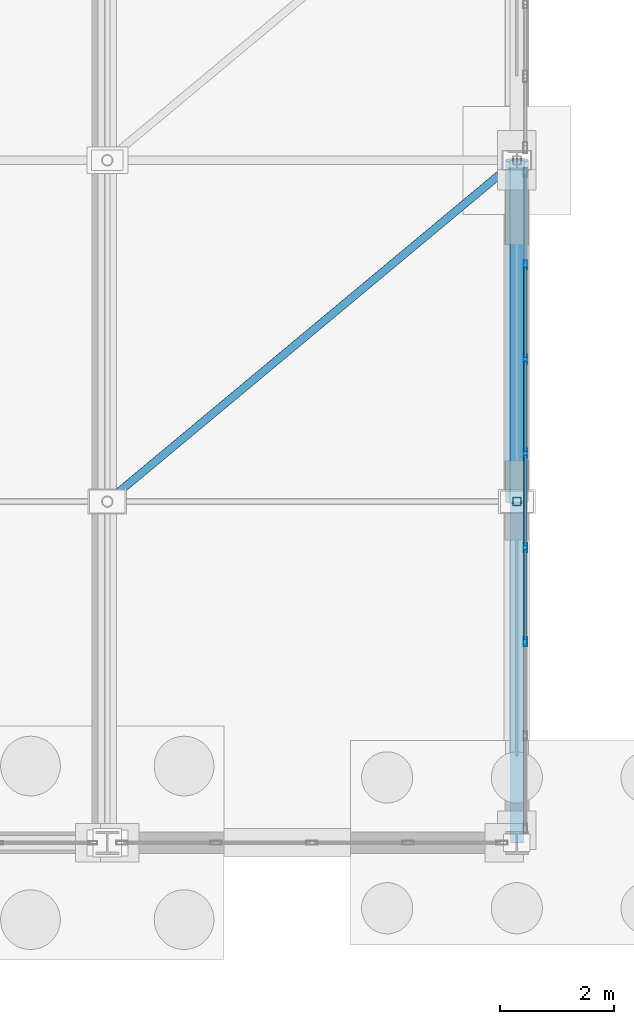
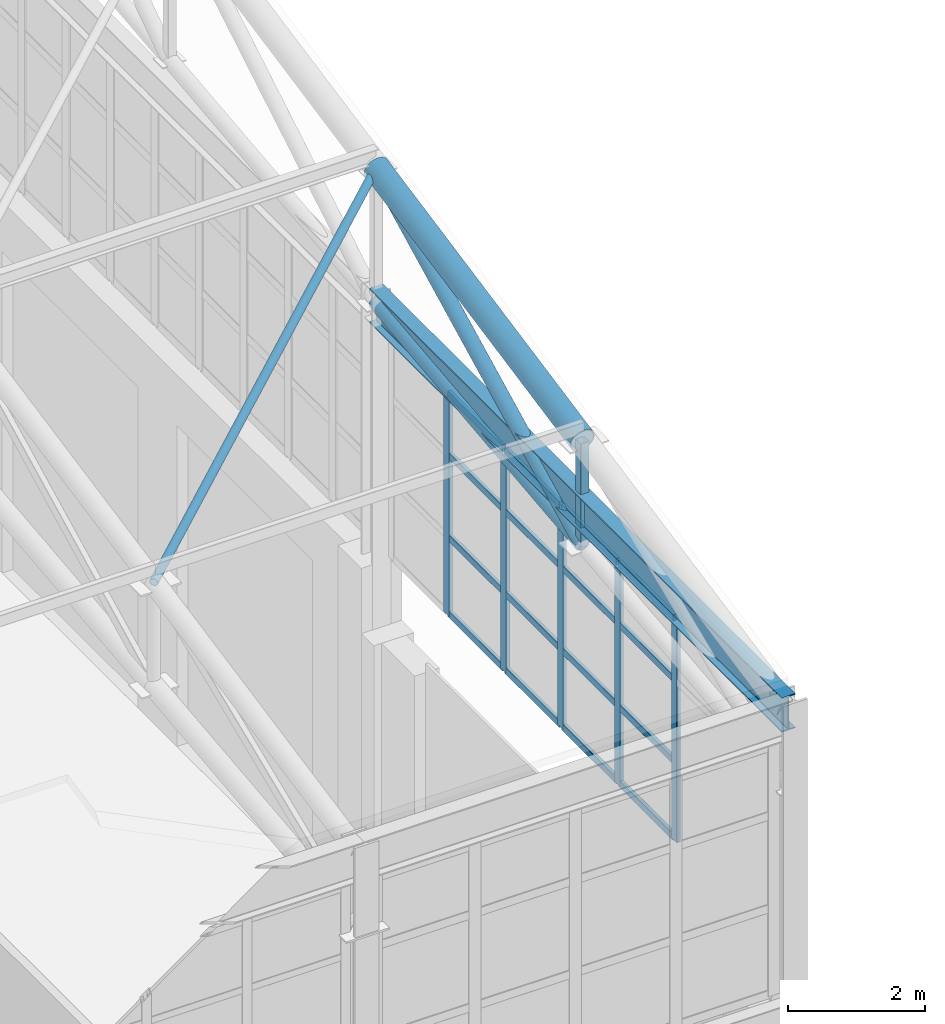
# One storey, part 178 of 293: 26 members, 1 beam, 1 element without a shape of its own.
"""IFC4 building model written with IfcOpenShell, lengths in metres."""

from ifc_helpers import new_model, si_unit, direction, frame, origin, origin_2d, place, context, subcontext, project, spatial, hollow_rectangle, hollow_circle, i_section, extrude, material, layer, layer_set, material_profile, profile_set, type_object, element, aggregate, save


model = new_model("IFC4")

# Units and contexts
model_context = context("Model", 3, precision=1e-05, world=origin(), true_north=direction((0.0, 1.0)))
body_context = subcontext(model_context, "Body", "Model", "MODEL_VIEW")
ifc_project = project(units=[si_unit("LENGTHUNIT", "METRE"), si_unit("AREAUNIT", "SQUARE_METRE"), si_unit("VOLUMEUNIT", "CUBIC_METRE"), si_unit("PLANEANGLEUNIT", "RADIAN"), si_unit("MASSUNIT", "GRAM", prefix="KILO")], contexts=[model_context])

# Site, building, storey
site_placement = place(None, origin())
site = spatial("IfcSite", under=ifc_project, at=site_placement, CompositionType="ELEMENT")
building_placement = place(site_placement, origin())
building = spatial("IfcBuilding", under=site, at=building_placement, Name="Kemerveld Promenade Tramway Depot", CompositionType="ELEMENT")
storey_placement = place(building_placement, origin())
storey = spatial("IfcBuildingStorey", under=building, at=storey_placement, Name="L00", CompositionType="ELEMENT", Elevation=0.0)

# Beam
ifc_material_1 = material(Name="Steel S355", Category="steel")
ifc_material_profile_1 = material_profile(ifc_material_1, i_section(OverallWidth=0.22900390625, OverallDepth=0.6123046875, WebThickness=0.011962890625, FlangeThickness=0.01953125, FilletRadius=0.0126953125, at=origin_2d()), Name="610x229x125 UB")
ifc_profile_set_1 = profile_set([ifc_material_profile_1], Name="Steel S355")
beam_type = type_object("IfcBeamType", Name="BM-G04", PredefinedType="BEAM", material=ifc_profile_set_1)
beam_placement = place(storey_placement, frame((187.199951171875, 84.0, 11.093994140625), z_axis=(0.0, 1.0, 0.0), x_axis=(-1.0, 0.0, 0.0)))
element("IfcBeam", 1, at=beam_placement, inside=storey, type_object=beam_type, Name="BM-GABLE-27-N", PredefinedType="BEAM", context=body_context, shape_type="SweptSolid", body=[
    extrude(i_section(OverallWidth=0.22900390625, OverallDepth=0.6123046875, WebThickness=0.011962890625, FlangeThickness=0.01953125, FilletRadius=0.0126953125, at=origin_2d()), origin(), (0.0, 0.0, 1.0), 12.0),
])

# Curtain wall, members
ifc_material_2 = material(Name="Bronze anodised aluminium and solar glass", Category="aluminium")
ifc_layer = layer(ifc_material_2, 0.159912109375)
ifc_layer_set = layer_set([ifc_layer], Name="CW-SYS-11")
curtain_wall_type = type_object("IfcCurtainWallType", Name="CW-SYS-11", PredefinedType="USERDEFINED", material=ifc_layer_set)
curtain_wall_placement = place(storey_placement, origin())
curtain_wall = element("IfcCurtainWall", 2, at=curtain_wall_placement, inside=storey, type_object=curtain_wall_type, Name="CW-V1-E-01", ObjectType="GLAZED_CURTAIN_WALL", PredefinedType="USERDEFINED")
ifc_material_3 = material(Name="Bronze anodised aluminium", Category="aluminium")
ifc_material_profile_2 = material_profile(ifc_material_3, hollow_rectangle(XDim=0.06494140625, YDim=0.159912109375, WallThickness=0.00390625, InnerFilletRadius=0.001953125, OuterFilletRadius=0.00390625, at=origin_2d()), Name="CW-MUL-160x65")
ifc_profile_set_2 = profile_set([ifc_material_profile_2], Name="Bronze anodised aluminium")
member_type_1 = type_object("IfcMemberType", Name="CW-MUL-A", PredefinedType="MULLION", material=ifc_profile_set_2)
member_1_placement = place(storey_placement, frame((187.35009765625, 94.160400390625, 6.64990234375), z_axis=(0.0, 0.0, 1.0), x_axis=(1.0, 0.0, 0.0)))
member_1 = element("IfcMember", 3, at=member_1_placement, type_object=member_type_1, Name="CW11 mullion 2", PredefinedType="MULLION", context=body_context, shape_type="SweptSolid", body=[
    extrude(hollow_rectangle(XDim=0.06494140625, YDim=0.159912109375, WallThickness=0.00390625, InnerFilletRadius=0.001953125, OuterFilletRadius=0.00390625, at=origin_2d()), origin(), (0.0, 0.0, 1.0), 3.9501953125),
])
member_2_placement = place(storey_placement, frame((187.35009765625, 92.504150390625, 6.64990234375), z_axis=(0.0, 0.0, 1.0), x_axis=(1.0, 0.0, 0.0)))
member_2 = element("IfcMember", 4, at=member_2_placement, type_object=member_type_1, Name="CW11 mullion 3", PredefinedType="MULLION", context=body_context, shape_type="SweptSolid", body=[
    extrude(hollow_rectangle(XDim=0.06494140625, YDim=0.159912109375, WallThickness=0.00390625, InnerFilletRadius=0.001953125, OuterFilletRadius=0.00390625, at=origin_2d()), origin(), (0.0, 0.0, 1.0), 3.9501953125),
])
member_3_placement = place(storey_placement, frame((187.35009765625, 90.847900390625, 6.64990234375), z_axis=(0.0, 0.0, 1.0), x_axis=(1.0, 0.0, 0.0)))
member_3 = element("IfcMember", 5, at=member_3_placement, type_object=member_type_1, Name="CW11 mullion 4", PredefinedType="MULLION", context=body_context, shape_type="SweptSolid", body=[
    extrude(hollow_rectangle(XDim=0.06494140625, YDim=0.159912109375, WallThickness=0.00390625, InnerFilletRadius=0.001953125, OuterFilletRadius=0.00390625, at=origin_2d()), origin(), (0.0, 0.0, 1.0), 3.9501953125),
])
member_4_placement = place(storey_placement, frame((187.35009765625, 89.191650390625, 6.64990234375), z_axis=(0.0, 0.0, 1.0), x_axis=(1.0, 0.0, 0.0)))
member_4 = element("IfcMember", 6, at=member_4_placement, type_object=member_type_1, Name="CW11 mullion 5", PredefinedType="MULLION", context=body_context, shape_type="SweptSolid", body=[
    extrude(hollow_rectangle(XDim=0.06494140625, YDim=0.159912109375, WallThickness=0.00390625, InnerFilletRadius=0.001953125, OuterFilletRadius=0.00390625, at=origin_2d()), origin(), (0.0, 0.0, 1.0), 3.9501953125),
])
member_5_placement = place(storey_placement, frame((187.35009765625, 87.53564453125, 6.64990234375), z_axis=(0.0, 0.0, 1.0), x_axis=(1.0, 0.0, 0.0)))
member_5 = element("IfcMember", 7, at=member_5_placement, type_object=member_type_1, Name="CW11 mullion 6", PredefinedType="MULLION", context=body_context, shape_type="SweptSolid", body=[
    extrude(hollow_rectangle(XDim=0.06494140625, YDim=0.159912109375, WallThickness=0.00390625, InnerFilletRadius=0.001953125, OuterFilletRadius=0.00390625, at=origin_2d()), origin(), (0.0, 0.0, 1.0), 3.9501953125),
])
ifc_material_profile_3 = material_profile(ifc_material_3, hollow_rectangle(XDim=0.06005859375, YDim=0.1201171875, WallThickness=0.00390625, InnerFilletRadius=0.001953125, OuterFilletRadius=0.00390625, at=origin_2d()), Name="CW-TRN-120x60")
ifc_profile_set_3 = profile_set([ifc_material_profile_3], Name="Bronze anodised aluminium")
member_type_2 = type_object("IfcMemberType", Name="CW-TRN-A", PredefinedType="USERDEFINED", material=ifc_profile_set_3)
member_6_placement = place(storey_placement, frame((187.35009765625, 94.1279296875, 6.679931640625), z_axis=(0.0, -1.0, 0.0), x_axis=(1.0, 0.0, 0.0)))
member_6 = element("IfcMember", 8, at=member_6_placement, type_object=member_type_2, Name="CW11 transom 2.1", ObjectType="TRANSOM", PredefinedType="USERDEFINED", context=body_context, shape_type="SweptSolid", body=[
    extrude(hollow_rectangle(XDim=0.06005859375, YDim=0.1201171875, WallThickness=0.00390625, InnerFilletRadius=0.001953125, OuterFilletRadius=0.00390625, at=origin_2d()), origin(), (0.0, 0.0, 1.0), 1.59130859375),
])
member_7_placement = place(storey_placement, frame((187.35009765625, 94.1279296875, 8.032958984375), z_axis=(0.0, -1.0, 0.0), x_axis=(1.0, 0.0, 0.0)))
member_7 = element("IfcMember", 9, at=member_7_placement, type_object=member_type_2, Name="CW11 transom 2.2", ObjectType="TRANSOM", PredefinedType="USERDEFINED", context=body_context, shape_type="SweptSolid", body=[
    extrude(hollow_rectangle(XDim=0.06005859375, YDim=0.1201171875, WallThickness=0.00390625, InnerFilletRadius=0.001953125, OuterFilletRadius=0.00390625, at=origin_2d()), origin(), (0.0, 0.0, 1.0), 1.59130859375),
])
member_8_placement = place(storey_placement, frame((187.35009765625, 94.1279296875, 9.493896484375), z_axis=(0.0, -1.0, 0.0), x_axis=(1.0, 0.0, 0.0)))
member_8 = element("IfcMember", 10, at=member_8_placement, type_object=member_type_2, Name="CW11 transom 2.3", ObjectType="TRANSOM", PredefinedType="USERDEFINED", context=body_context, shape_type="SweptSolid", body=[
    extrude(hollow_rectangle(XDim=0.06005859375, YDim=0.1201171875, WallThickness=0.00390625, InnerFilletRadius=0.001953125, OuterFilletRadius=0.00390625, at=origin_2d()), origin(), (0.0, 0.0, 1.0), 1.59130859375),
])
member_9_placement = place(storey_placement, frame((187.35009765625, 94.1279296875, 10.570068359375), z_axis=(0.0, -1.0, 0.0), x_axis=(1.0, 0.0, 0.0)))
member_9 = element("IfcMember", 11, at=member_9_placement, type_object=member_type_2, Name="CW11 transom 2.4", ObjectType="TRANSOM", PredefinedType="USERDEFINED", context=body_context, shape_type="SweptSolid", body=[
    extrude(hollow_rectangle(XDim=0.06005859375, YDim=0.1201171875, WallThickness=0.00390625, InnerFilletRadius=0.001953125, OuterFilletRadius=0.00390625, at=origin_2d()), origin(), (0.0, 0.0, 1.0), 1.59130859375),
])
member_10_placement = place(storey_placement, frame((187.35009765625, 92.4716796875, 6.679931640625), z_axis=(0.0, -1.0, 0.0), x_axis=(1.0, 0.0, 0.0)))
member_10 = element("IfcMember", 12, at=member_10_placement, type_object=member_type_2, Name="CW11 transom 3.1", ObjectType="TRANSOM", PredefinedType="USERDEFINED", context=body_context, shape_type="SweptSolid", body=[
    extrude(hollow_rectangle(XDim=0.06005859375, YDim=0.1201171875, WallThickness=0.00390625, InnerFilletRadius=0.001953125, OuterFilletRadius=0.00390625, at=origin_2d()), origin(), (0.0, 0.0, 1.0), 1.59130859375),
])
member_11_placement = place(storey_placement, frame((187.35009765625, 92.4716796875, 8.032958984375), z_axis=(0.0, -1.0, 0.0), x_axis=(1.0, 0.0, 0.0)))
member_11 = element("IfcMember", 13, at=member_11_placement, type_object=member_type_2, Name="CW11 transom 3.2", ObjectType="TRANSOM", PredefinedType="USERDEFINED", context=body_context, shape_type="SweptSolid", body=[
    extrude(hollow_rectangle(XDim=0.06005859375, YDim=0.1201171875, WallThickness=0.00390625, InnerFilletRadius=0.001953125, OuterFilletRadius=0.00390625, at=origin_2d()), origin(), (0.0, 0.0, 1.0), 1.59130859375),
])
member_12_placement = place(storey_placement, frame((187.35009765625, 92.4716796875, 9.493896484375), z_axis=(0.0, -1.0, 0.0), x_axis=(1.0, 0.0, 0.0)))
member_12 = element("IfcMember", 14, at=member_12_placement, type_object=member_type_2, Name="CW11 transom 3.3", ObjectType="TRANSOM", PredefinedType="USERDEFINED", context=body_context, shape_type="SweptSolid", body=[
    extrude(hollow_rectangle(XDim=0.06005859375, YDim=0.1201171875, WallThickness=0.00390625, InnerFilletRadius=0.001953125, OuterFilletRadius=0.00390625, at=origin_2d()), origin(), (0.0, 0.0, 1.0), 1.59130859375),
])
member_13_placement = place(storey_placement, frame((187.35009765625, 92.4716796875, 10.570068359375), z_axis=(0.0, -1.0, 0.0), x_axis=(1.0, 0.0, 0.0)))
member_13 = element("IfcMember", 15, at=member_13_placement, type_object=member_type_2, Name="CW11 transom 3.4", ObjectType="TRANSOM", PredefinedType="USERDEFINED", context=body_context, shape_type="SweptSolid", body=[
    extrude(hollow_rectangle(XDim=0.06005859375, YDim=0.1201171875, WallThickness=0.00390625, InnerFilletRadius=0.001953125, OuterFilletRadius=0.00390625, at=origin_2d()), origin(), (0.0, 0.0, 1.0), 1.59130859375),
])
member_14_placement = place(storey_placement, frame((187.35009765625, 90.8154296875, 6.679931640625), z_axis=(0.0, -1.0, 0.0), x_axis=(1.0, 0.0, 0.0)))
member_14 = element("IfcMember", 16, at=member_14_placement, type_object=member_type_2, Name="CW11 transom 4.1", ObjectType="TRANSOM", PredefinedType="USERDEFINED", context=body_context, shape_type="SweptSolid", body=[
    extrude(hollow_rectangle(XDim=0.06005859375, YDim=0.1201171875, WallThickness=0.00390625, InnerFilletRadius=0.001953125, OuterFilletRadius=0.00390625, at=origin_2d()), origin(), (0.0, 0.0, 1.0), 1.591064453125),
])
member_15_placement = place(storey_placement, frame((187.35009765625, 90.8154296875, 8.032958984375), z_axis=(0.0, -1.0, 0.0), x_axis=(1.0, 0.0, 0.0)))
member_15 = element("IfcMember", 17, at=member_15_placement, type_object=member_type_2, Name="CW11 transom 4.2", ObjectType="TRANSOM", PredefinedType="USERDEFINED", context=body_context, shape_type="SweptSolid", body=[
    extrude(hollow_rectangle(XDim=0.06005859375, YDim=0.1201171875, WallThickness=0.00390625, InnerFilletRadius=0.001953125, OuterFilletRadius=0.00390625, at=origin_2d()), origin(), (0.0, 0.0, 1.0), 1.591064453125),
])
member_16_placement = place(storey_placement, frame((187.35009765625, 90.8154296875, 9.493896484375), z_axis=(0.0, -1.0, 0.0), x_axis=(1.0, 0.0, 0.0)))
member_16 = element("IfcMember", 18, at=member_16_placement, type_object=member_type_2, Name="CW11 transom 4.3", ObjectType="TRANSOM", PredefinedType="USERDEFINED", context=body_context, shape_type="SweptSolid", body=[
    extrude(hollow_rectangle(XDim=0.06005859375, YDim=0.1201171875, WallThickness=0.00390625, InnerFilletRadius=0.001953125, OuterFilletRadius=0.00390625, at=origin_2d()), origin(), (0.0, 0.0, 1.0), 1.591064453125),
])
member_17_placement = place(storey_placement, frame((187.35009765625, 90.8154296875, 10.570068359375), z_axis=(0.0, -1.0, 0.0), x_axis=(1.0, 0.0, 0.0)))
member_17 = element("IfcMember", 19, at=member_17_placement, type_object=member_type_2, Name="CW11 transom 4.4", ObjectType="TRANSOM", PredefinedType="USERDEFINED", context=body_context, shape_type="SweptSolid", body=[
    extrude(hollow_rectangle(XDim=0.06005859375, YDim=0.1201171875, WallThickness=0.00390625, InnerFilletRadius=0.001953125, OuterFilletRadius=0.00390625, at=origin_2d()), origin(), (0.0, 0.0, 1.0), 1.591064453125),
])
member_18_placement = place(storey_placement, frame((187.35009765625, 89.1591796875, 6.679931640625), z_axis=(0.0, -1.0, 0.0), x_axis=(1.0, 0.0, 0.0)))
member_18 = element("IfcMember", 20, at=member_18_placement, type_object=member_type_2, Name="CW11 transom 5.1", ObjectType="TRANSOM", PredefinedType="USERDEFINED", context=body_context, shape_type="SweptSolid", body=[
    extrude(hollow_rectangle(XDim=0.06005859375, YDim=0.1201171875, WallThickness=0.00390625, InnerFilletRadius=0.001953125, OuterFilletRadius=0.00390625, at=origin_2d()), origin(), (0.0, 0.0, 1.0), 1.591064453125),
])
member_19_placement = place(storey_placement, frame((187.35009765625, 89.1591796875, 8.032958984375), z_axis=(0.0, -1.0, 0.0), x_axis=(1.0, 0.0, 0.0)))
member_19 = element("IfcMember", 21, at=member_19_placement, type_object=member_type_2, Name="CW11 transom 5.2", ObjectType="TRANSOM", PredefinedType="USERDEFINED", context=body_context, shape_type="SweptSolid", body=[
    extrude(hollow_rectangle(XDim=0.06005859375, YDim=0.1201171875, WallThickness=0.00390625, InnerFilletRadius=0.001953125, OuterFilletRadius=0.00390625, at=origin_2d()), origin(), (0.0, 0.0, 1.0), 1.591064453125),
])
member_20_placement = place(storey_placement, frame((187.35009765625, 89.1591796875, 9.493896484375), z_axis=(0.0, -1.0, 0.0), x_axis=(1.0, 0.0, 0.0)))
member_20 = element("IfcMember", 22, at=member_20_placement, type_object=member_type_2, Name="CW11 transom 5.3", ObjectType="TRANSOM", PredefinedType="USERDEFINED", context=body_context, shape_type="SweptSolid", body=[
    extrude(hollow_rectangle(XDim=0.06005859375, YDim=0.1201171875, WallThickness=0.00390625, InnerFilletRadius=0.001953125, OuterFilletRadius=0.00390625, at=origin_2d()), origin(), (0.0, 0.0, 1.0), 1.591064453125),
])
member_21_placement = place(storey_placement, frame((187.35009765625, 89.1591796875, 10.570068359375), z_axis=(0.0, -1.0, 0.0), x_axis=(1.0, 0.0, 0.0)))
member_21 = element("IfcMember", 23, at=member_21_placement, type_object=member_type_2, Name="CW11 transom 5.4", ObjectType="TRANSOM", PredefinedType="USERDEFINED", context=body_context, shape_type="SweptSolid", body=[
    extrude(hollow_rectangle(XDim=0.06005859375, YDim=0.1201171875, WallThickness=0.00390625, InnerFilletRadius=0.001953125, OuterFilletRadius=0.00390625, at=origin_2d()), origin(), (0.0, 0.0, 1.0), 1.591064453125),
])
aggregate(curtain_wall, [member_1, member_2, member_3, member_4, member_5, member_6, member_7, member_8, member_9, member_10, member_11, member_12, member_13, member_14, member_15, member_16, member_17, member_18, member_19, member_20, member_21])

# Members
ifc_material_profile_4 = material_profile(ifc_material_1, hollow_circle(Radius=0.122314453125, WallThickness=0.010009765625, at=origin_2d()), Name="244.5x10.0 CHS")
ifc_profile_set_4 = profile_set([ifc_material_profile_4], Name="Steel S355")
member_type_3 = type_object("IfcMemberType", Name="MB-TB1", PredefinedType="BRACE", material=ifc_profile_set_4)
member_22_placement = place(storey_placement, frame((187.199951171875, 90.0, 10.4599609375), z_axis=(0.0, 0.892033434612, 0.451969414379), x_axis=(-1.0, 0.0, 0.0)))
element("IfcMember", 24, at=member_22_placement, inside=storey, type_object=member_type_3, Name="TR-27-DG-02", PredefinedType="BRACE", context=body_context, shape_type="SweptSolid", body=[
    extrude(hollow_circle(Radius=0.122314453125, WallThickness=0.010009765625, at=origin_2d()), origin(), (0.0, 0.0, 1.0), 6.726318359375),
])
ifc_material_profile_5 = material_profile(ifc_material_1, hollow_circle(Radius=0.06982421875, WallThickness=0.00634765625, at=origin_2d()), Name="139.7x6.3 CHS")
ifc_profile_set_5 = profile_set([ifc_material_profile_5], Name="Steel S355")
member_type_4 = type_object("IfcMemberType", Name="MB-TB3", PredefinedType="BRACE", material=ifc_profile_set_5)
member_23_placement = place(storey_placement, frame((180.0, 90.0, 12.300048828125), z_axis=(0.761999094998, 0.635003552225, 0.126995542773), x_axis=(-0.640186961885, 0.768219144407, 0.0)))
element("IfcMember", 25, at=member_23_placement, inside=storey, type_object=member_type_4, Name="RBR-V1-01-26", PredefinedType="BRACE", context=body_context, shape_type="SweptSolid", body=[
    extrude(hollow_circle(Radius=0.06982421875, WallThickness=0.00634765625, at=origin_2d()), origin(), (0.0, 0.0, 1.0), 9.44873046875),
])
ifc_material_profile_6 = material_profile(ifc_material_1, hollow_circle(Radius=0.203125, WallThickness=0.01611328125, at=origin_2d()), Name="406.4x16.0 CHS")
ifc_profile_set_6 = profile_set([ifc_material_profile_6], Name="Steel S355")
member_type_5 = type_object("IfcMemberType", Name="MB-TC1", PredefinedType="CHORD", material=ifc_profile_set_6)
member_24_placement = place(storey_placement, frame((187.199951171875, 90.0, 12.300048828125), z_axis=(0.0, 0.980582210276, 0.196108462057), x_axis=(-1.0, 0.0, 0.0)))
element("IfcMember", 26, at=member_24_placement, inside=storey, type_object=member_type_5, Name="TR-27-TC-02", PredefinedType="CHORD", context=body_context, shape_type="SweptSolid", body=[
    extrude(hollow_circle(Radius=0.203125, WallThickness=0.01611328125, at=origin_2d()), origin(), (0.0, 0.0, 1.0), 6.118896484375),
])
ifc_material_profile_7 = material_profile(ifc_material_1, hollow_circle(Radius=0.122314453125, WallThickness=0.010009765625, at=origin_2d()), Name="244.5x10.0 CHS")
ifc_profile_set_7 = profile_set([ifc_material_profile_7], Name="Steel S355")
member_type_6 = type_object("IfcMemberType", Name="MB-TC3", PredefinedType="CHORD", material=ifc_profile_set_7)
member_25_placement = place(storey_placement, frame((187.199951171875, 90.0, 10.4599609375), z_axis=(0.0, 0.994001542248, 0.109366055104), x_axis=(-1.0, 0.0, 0.0)))
element("IfcMember", 27, at=member_25_placement, inside=storey, type_object=member_type_6, Name="TR-27-BC-02", PredefinedType="CHORD", context=body_context, shape_type="SweptSolid", body=[
    extrude(hollow_circle(Radius=0.122314453125, WallThickness=0.010009765625, at=origin_2d()), origin(), (0.0, 0.0, 1.0), 6.0361328125),
])
ifc_material_profile_8 = material_profile(ifc_material_1, hollow_rectangle(XDim=0.14990234375, YDim=0.14990234375, WallThickness=0.008056640625, InnerFilletRadius=0.00390625, OuterFilletRadius=0.011962890625, at=origin_2d()), Name="150x150x8.0 SHS")
ifc_profile_set_8 = profile_set([ifc_material_profile_8], Name="Steel S355")
member_type_7 = type_object("IfcMemberType", Name="MB-TP2", PredefinedType="POST", material=ifc_profile_set_8)
member_26_placement = place(storey_placement, frame((187.199951171875, 90.0, 10.4599609375), z_axis=(0.0, 0.0, 1.0), x_axis=(1.0, 0.0, 0.0)))
element("IfcMember", 28, at=member_26_placement, inside=storey, type_object=member_type_7, Name="TR-27-VT-01", PredefinedType="POST", context=body_context, shape_type="SweptSolid", body=[
    extrude(hollow_rectangle(XDim=0.14990234375, YDim=0.14990234375, WallThickness=0.008056640625, InnerFilletRadius=0.00390625, OuterFilletRadius=0.011962890625, at=origin_2d()), origin(), (0.0, 0.0, 1.0), 1.840087890625),
])

save(model, "model.ifc")
